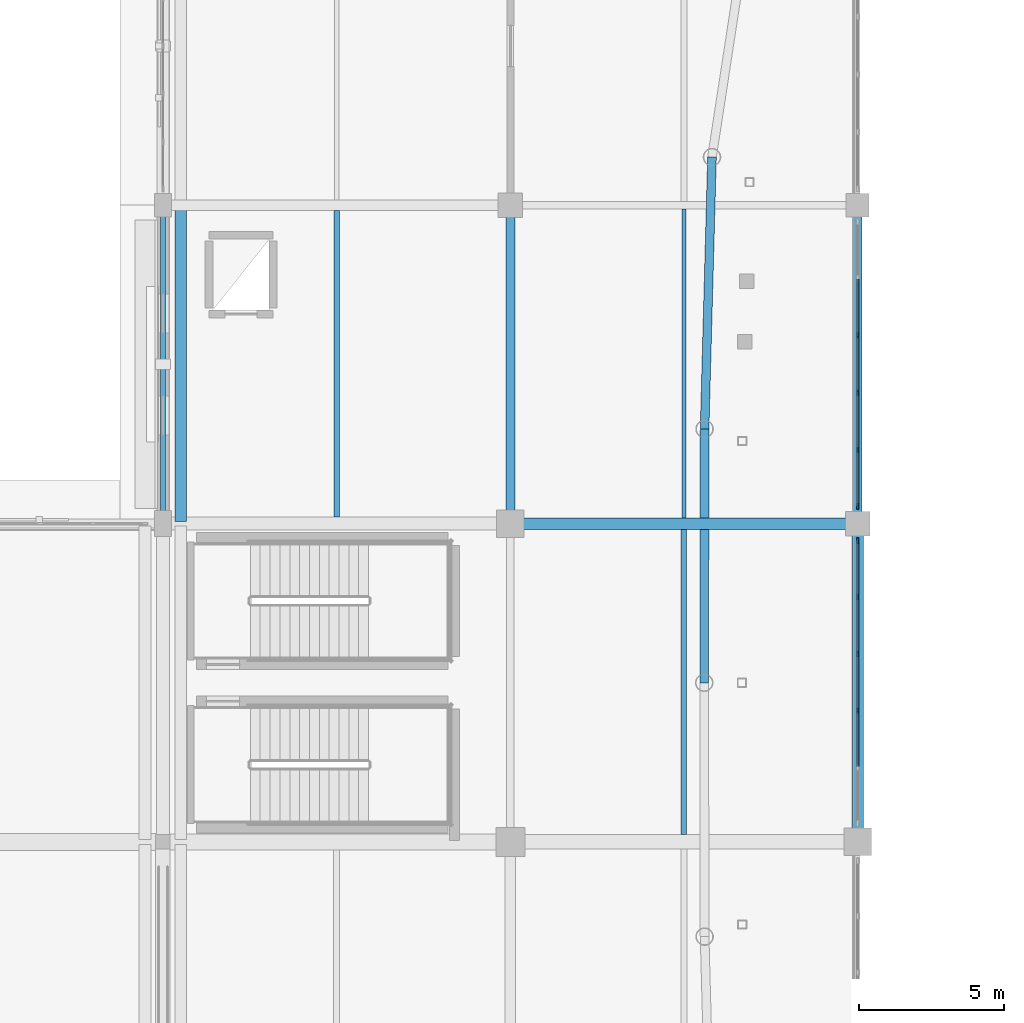
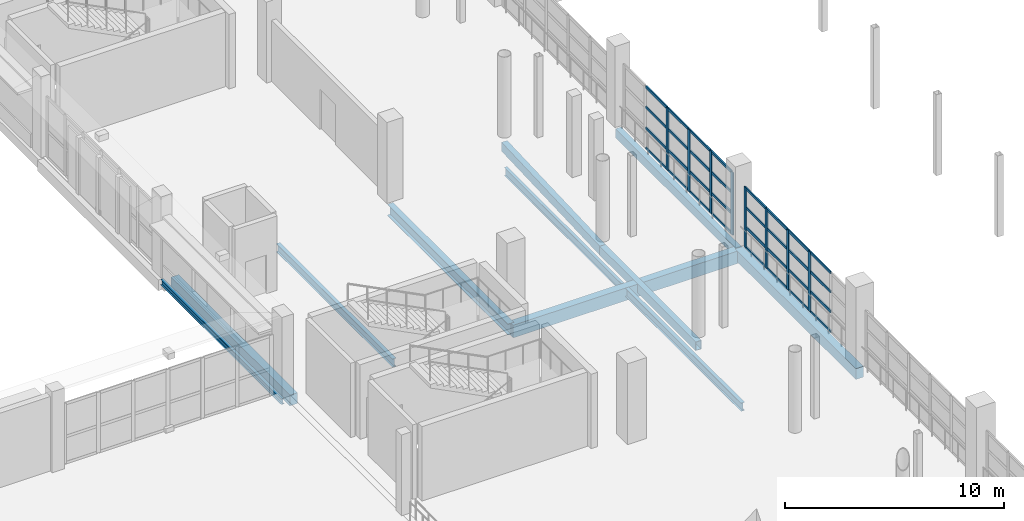
# One storey, part 32 of 118: 40 members, 11 beams, 2 elements without a shape of their own.
"""IFC4 building model written with IfcOpenShell, lengths in metres."""

from ifc_helpers import new_model, si_unit, direction, frame, origin, origin_2d, place, context, subcontext, project, spatial, rectangle, hollow_rectangle, i_section, extrude, material, material_profile, profile_set, type_object, element, aggregate, save


model = new_model("IFC4")

# Units and contexts
model_context = context("Model", 3, precision=1e-05, world=origin(), true_north=direction((0.0, 1.0)))
body_context = subcontext(model_context, "Body", "Model", "MODEL_VIEW")
ifc_project = project(units=[si_unit("LENGTHUNIT", "METRE"), si_unit("AREAUNIT", "SQUARE_METRE"), si_unit("VOLUMEUNIT", "CUBIC_METRE"), si_unit("PLANEANGLEUNIT", "RADIAN"), si_unit("MASSUNIT", "GRAM", prefix="KILO")], contexts=[model_context])

# Site, building, storey
site_placement = place(None, origin())
site = spatial("IfcSite", under=ifc_project, at=site_placement, CompositionType="ELEMENT")
building_placement = place(site_placement, origin())
building = spatial("IfcBuilding", under=site, at=building_placement, Name="Luwafu Chhajja Arena", CompositionType="ELEMENT")
storey_placement = place(building_placement, frame((0.0, 0.0, 10.199951171875)))
storey = spatial("IfcBuildingStorey", under=building, at=storey_placement, Name="L02", CompositionType="ELEMENT", Elevation=10.199951171875)

# Curtain wall, members
ifc_material_1 = material(Name="Anodised bronze aluminium", Category="aluminium")
curtain_wall_type = type_object("IfcCurtainWallType", Name="Hospitality Ring Curtain Wall", PredefinedType="USERDEFINED", material=ifc_material_1)
curtain_wall_1_placement = place(storey_placement, origin())
curtain_wall_1 = element("IfcCurtainWall", 1, at=curtain_wall_1_placement, inside=storey, type_object=curtain_wall_type, Name="L02 Bowl Viewing Curtain Wall CWR-L02-17", ObjectType="CURTAIN WALL", PredefinedType="USERDEFINED")
ifc_material_profile_1 = material_profile(ifc_material_1, rectangle(XDim=0.06494140625, YDim=0.199951171875, at=origin_2d()), Name="CWM 65x200")
ifc_profile_set_1 = profile_set([ifc_material_profile_1], Name="Anodised bronze aluminium")
member_type_1 = type_object("IfcMemberType", Name="Bronze Curtain Wall Mullion 65x200", PredefinedType="MULLION", material=ifc_profile_set_1)
member_1_placement = place(storey_placement, frame((58.0, 48.54296875, 0.0), z_axis=(0.0, 0.0, 1.0), x_axis=(-1.0, 0.0, 0.0)))
member_1 = element("IfcMember", 2, at=member_1_placement, type_object=member_type_1, Name="CW-02 mullion 3", PredefinedType="MULLION", context=body_context, shape_type="SweptSolid", body=[
    extrude(rectangle(XDim=0.06494140625, YDim=0.199951171875, at=origin_2d()), origin(), (0.0, 0.0, 1.0), 3.340087890625),
])
member_2_placement = place(storey_placement, frame((58.0, 50.507080078125, 0.0), z_axis=(0.0, 0.0, 1.0), x_axis=(-1.0, 0.0, 0.0)))
member_2 = element("IfcMember", 3, at=member_2_placement, type_object=member_type_1, Name="CW-02 mullion 4", PredefinedType="MULLION", context=body_context, shape_type="SweptSolid", body=[
    extrude(rectangle(XDim=0.06494140625, YDim=0.199951171875, at=origin_2d()), origin(), (0.0, 0.0, 1.0), 3.340087890625),
])
member_3_placement = place(storey_placement, frame((58.0, 52.470947265625, 0.0), z_axis=(0.0, 0.0, 1.0), x_axis=(-1.0, 0.0, 0.0)))
member_3 = element("IfcMember", 4, at=member_3_placement, type_object=member_type_1, Name="CW-02 mullion 5", PredefinedType="MULLION", context=body_context, shape_type="SweptSolid", body=[
    extrude(rectangle(XDim=0.06494140625, YDim=0.199951171875, at=origin_2d()), origin(), (0.0, 0.0, 1.0), 3.340087890625),
])
member_4_placement = place(storey_placement, frame((58.0, 54.402587890625, 0.0), z_axis=(0.0, 0.0, 1.0), x_axis=(-1.0, 0.0, 0.0)))
member_4 = element("IfcMember", 5, at=member_4_placement, type_object=member_type_1, Name="CW-02 mullion 6", PredefinedType="MULLION", context=body_context, shape_type="SweptSolid", body=[
    extrude(rectangle(XDim=0.06494140625, YDim=0.199951171875, at=origin_2d()), origin(), (0.0, 0.0, 1.0), 3.340087890625),
])

curtain_wall_2_placement = place(storey_placement, origin())
curtain_wall_2 = element("IfcCurtainWall", 6, at=curtain_wall_2_placement, inside=storey, type_object=curtain_wall_type, Name="L02 Bowl Viewing Curtain Wall CWR-L02-18", ObjectType="CURTAIN WALL", PredefinedType="USERDEFINED")
member_5_placement = place(storey_placement, frame((58.0, 55.597412109375, 0.0), z_axis=(0.0, 0.0, 1.0), x_axis=(-1.0, 0.0, 0.0)))
member_5 = element("IfcMember", 7, at=member_5_placement, type_object=member_type_1, Name="CW-02 mullion 1", PredefinedType="MULLION", context=body_context, shape_type="SweptSolid", body=[
    extrude(rectangle(XDim=0.06494140625, YDim=0.199951171875, at=origin_2d()), origin(), (0.0, 0.0, 1.0), 3.469970703125),
])
member_6_placement = place(storey_placement, frame((58.0, 57.5439453125, 0.0), z_axis=(0.0, 0.0, 1.0), x_axis=(-1.0, 0.0, 0.0)))
member_6 = element("IfcMember", 8, at=member_6_placement, type_object=member_type_1, Name="CW-02 mullion 2", PredefinedType="MULLION", context=body_context, shape_type="SweptSolid", body=[
    extrude(rectangle(XDim=0.06494140625, YDim=0.199951171875, at=origin_2d()), origin(), (0.0, 0.0, 1.0), 3.469970703125),
])
member_7_placement = place(storey_placement, frame((58.0, 59.52294921875, 0.0), z_axis=(0.0, 0.0, 1.0), x_axis=(-1.0, 0.0, 0.0)))
member_7 = element("IfcMember", 9, at=member_7_placement, type_object=member_type_1, Name="CW-02 mullion 3", PredefinedType="MULLION", context=body_context, shape_type="SweptSolid", body=[
    extrude(rectangle(XDim=0.06494140625, YDim=0.199951171875, at=origin_2d()), origin(), (0.0, 0.0, 1.0), 3.469970703125),
])
member_8_placement = place(storey_placement, frame((58.0, 61.501953125, 0.0), z_axis=(0.0, 0.0, 1.0), x_axis=(-1.0, 0.0, 0.0)))
member_8 = element("IfcMember", 10, at=member_8_placement, type_object=member_type_1, Name="CW-02 mullion 4", PredefinedType="MULLION", context=body_context, shape_type="SweptSolid", body=[
    extrude(rectangle(XDim=0.06494140625, YDim=0.199951171875, at=origin_2d()), origin(), (0.0, 0.0, 1.0), 3.469970703125),
])

# Member
ifc_material_profile_2 = material_profile(ifc_material_1, rectangle(XDim=0.06494140625, YDim=0.14990234375, at=origin_2d()), Name="CWT 65x150")
ifc_profile_set_2 = profile_set([ifc_material_profile_2], Name="Anodised bronze aluminium")
member_type_2 = type_object("IfcMemberType", Name="Bronze Curtain Wall Transom 65x150", PredefinedType="USERDEFINED", material=ifc_profile_set_2)
member_9_placement = place(storey_placement, frame((58.0, 46.611572265625, 0.032470703125), z_axis=(0.0, 1.0, 0.0), x_axis=(-1.0, 0.0, 0.0)))
member_9 = element("IfcMember", 11, at=member_9_placement, type_object=member_type_2, Name="CW-02 transom 2.1", ObjectType="TRANSOM", PredefinedType="USERDEFINED", context=body_context, shape_type="SweptSolid", body=[
    extrude(rectangle(XDim=0.06494140625, YDim=0.14990234375, at=origin_2d()), origin(), (0.0, 0.0, 1.0), 1.89892578125),
])

member_10_placement = place(storey_placement, frame((58.0, 46.611572265625, 1.150146484375), z_axis=(0.0, 1.0, 0.0), x_axis=(-1.0, 0.0, 0.0)))
member_10 = element("IfcMember", 12, at=member_10_placement, type_object=member_type_2, Name="CW-02 transom 2.2", ObjectType="TRANSOM", PredefinedType="USERDEFINED", context=body_context, shape_type="SweptSolid", body=[
    extrude(rectangle(XDim=0.06494140625, YDim=0.14990234375, at=origin_2d()), origin(), (0.0, 0.0, 1.0), 1.89892578125),
])

member_11_placement = place(storey_placement, frame((58.0, 46.611572265625, 2.2451171875), z_axis=(0.0, 1.0, 0.0), x_axis=(-1.0, 0.0, 0.0)))
member_11 = element("IfcMember", 13, at=member_11_placement, type_object=member_type_2, Name="CW-02 transom 2.3", ObjectType="TRANSOM", PredefinedType="USERDEFINED", context=body_context, shape_type="SweptSolid", body=[
    extrude(rectangle(XDim=0.06494140625, YDim=0.14990234375, at=origin_2d()), origin(), (0.0, 0.0, 1.0), 1.89892578125),
])

member_12_placement = place(storey_placement, frame((58.0, 46.611572265625, 3.3076171875), z_axis=(0.0, 1.0, 0.0), x_axis=(-1.0, 0.0, 0.0)))
member_12 = element("IfcMember", 14, at=member_12_placement, type_object=member_type_2, Name="CW-02 transom 2.4", ObjectType="TRANSOM", PredefinedType="USERDEFINED", context=body_context, shape_type="SweptSolid", body=[
    extrude(rectangle(XDim=0.06494140625, YDim=0.14990234375, at=origin_2d()), origin(), (0.0, 0.0, 1.0), 1.89892578125),
])

member_13_placement = place(storey_placement, frame((58.0, 48.575439453125, 0.032470703125), z_axis=(0.0, 1.0, 0.0), x_axis=(-1.0, 0.0, 0.0)))
member_13 = element("IfcMember", 15, at=member_13_placement, type_object=member_type_2, Name="CW-02 transom 3.1", ObjectType="TRANSOM", PredefinedType="USERDEFINED", context=body_context, shape_type="SweptSolid", body=[
    extrude(rectangle(XDim=0.06494140625, YDim=0.14990234375, at=origin_2d()), origin(), (0.0, 0.0, 1.0), 1.899169921875),
])

member_14_placement = place(storey_placement, frame((58.0, 48.575439453125, 1.150146484375), z_axis=(0.0, 1.0, 0.0), x_axis=(-1.0, 0.0, 0.0)))
member_14 = element("IfcMember", 16, at=member_14_placement, type_object=member_type_2, Name="CW-02 transom 3.2", ObjectType="TRANSOM", PredefinedType="USERDEFINED", context=body_context, shape_type="SweptSolid", body=[
    extrude(rectangle(XDim=0.06494140625, YDim=0.14990234375, at=origin_2d()), origin(), (0.0, 0.0, 1.0), 1.899169921875),
])

member_15_placement = place(storey_placement, frame((58.0, 48.575439453125, 2.2451171875), z_axis=(0.0, 1.0, 0.0), x_axis=(-1.0, 0.0, 0.0)))
member_15 = element("IfcMember", 17, at=member_15_placement, type_object=member_type_2, Name="CW-02 transom 3.3", ObjectType="TRANSOM", PredefinedType="USERDEFINED", context=body_context, shape_type="SweptSolid", body=[
    extrude(rectangle(XDim=0.06494140625, YDim=0.14990234375, at=origin_2d()), origin(), (0.0, 0.0, 1.0), 1.899169921875),
])

member_16_placement = place(storey_placement, frame((58.0, 48.575439453125, 3.3076171875), z_axis=(0.0, 1.0, 0.0), x_axis=(-1.0, 0.0, 0.0)))
member_16 = element("IfcMember", 18, at=member_16_placement, type_object=member_type_2, Name="CW-02 transom 3.4", ObjectType="TRANSOM", PredefinedType="USERDEFINED", context=body_context, shape_type="SweptSolid", body=[
    extrude(rectangle(XDim=0.06494140625, YDim=0.14990234375, at=origin_2d()), origin(), (0.0, 0.0, 1.0), 1.899169921875),
])

member_17_placement = place(storey_placement, frame((58.0, 50.53955078125, 0.032470703125), z_axis=(0.0, 1.0, 0.0), x_axis=(-1.0, 0.0, 0.0)))
member_17 = element("IfcMember", 19, at=member_17_placement, type_object=member_type_2, Name="CW-02 transom 4.1", ObjectType="TRANSOM", PredefinedType="USERDEFINED", context=body_context, shape_type="SweptSolid", body=[
    extrude(rectangle(XDim=0.06494140625, YDim=0.14990234375, at=origin_2d()), origin(), (0.0, 0.0, 1.0), 1.89892578125),
])

member_18_placement = place(storey_placement, frame((58.0, 50.53955078125, 1.150146484375), z_axis=(0.0, 1.0, 0.0), x_axis=(-1.0, 0.0, 0.0)))
member_18 = element("IfcMember", 20, at=member_18_placement, type_object=member_type_2, Name="CW-02 transom 4.2", ObjectType="TRANSOM", PredefinedType="USERDEFINED", context=body_context, shape_type="SweptSolid", body=[
    extrude(rectangle(XDim=0.06494140625, YDim=0.14990234375, at=origin_2d()), origin(), (0.0, 0.0, 1.0), 1.89892578125),
])

member_19_placement = place(storey_placement, frame((58.0, 50.53955078125, 2.2451171875), z_axis=(0.0, 1.0, 0.0), x_axis=(-1.0, 0.0, 0.0)))
member_19 = element("IfcMember", 21, at=member_19_placement, type_object=member_type_2, Name="CW-02 transom 4.3", ObjectType="TRANSOM", PredefinedType="USERDEFINED", context=body_context, shape_type="SweptSolid", body=[
    extrude(rectangle(XDim=0.06494140625, YDim=0.14990234375, at=origin_2d()), origin(), (0.0, 0.0, 1.0), 1.89892578125),
])

member_20_placement = place(storey_placement, frame((58.0, 50.53955078125, 3.3076171875), z_axis=(0.0, 1.0, 0.0), x_axis=(-1.0, 0.0, 0.0)))
member_20 = element("IfcMember", 22, at=member_20_placement, type_object=member_type_2, Name="CW-02 transom 4.4", ObjectType="TRANSOM", PredefinedType="USERDEFINED", context=body_context, shape_type="SweptSolid", body=[
    extrude(rectangle(XDim=0.06494140625, YDim=0.14990234375, at=origin_2d()), origin(), (0.0, 0.0, 1.0), 1.89892578125),
])

member_21_placement = place(storey_placement, frame((58.0, 52.50341796875, 0.032470703125), z_axis=(0.0, 1.0, 0.0), x_axis=(-1.0, 0.0, 0.0)))
member_21 = element("IfcMember", 23, at=member_21_placement, type_object=member_type_2, Name="CW-02 transom 5.1", ObjectType="TRANSOM", PredefinedType="USERDEFINED", context=body_context, shape_type="SweptSolid", body=[
    extrude(rectangle(XDim=0.06494140625, YDim=0.14990234375, at=origin_2d()), origin(), (0.0, 0.0, 1.0), 1.86669921875),
])

member_22_placement = place(storey_placement, frame((58.0, 52.50341796875, 1.150146484375), z_axis=(0.0, 1.0, 0.0), x_axis=(-1.0, 0.0, 0.0)))
member_22 = element("IfcMember", 24, at=member_22_placement, type_object=member_type_2, Name="CW-02 transom 5.2", ObjectType="TRANSOM", PredefinedType="USERDEFINED", context=body_context, shape_type="SweptSolid", body=[
    extrude(rectangle(XDim=0.06494140625, YDim=0.14990234375, at=origin_2d()), origin(), (0.0, 0.0, 1.0), 1.86669921875),
])

member_23_placement = place(storey_placement, frame((58.0, 52.50341796875, 2.2451171875), z_axis=(0.0, 1.0, 0.0), x_axis=(-1.0, 0.0, 0.0)))
member_23 = element("IfcMember", 25, at=member_23_placement, type_object=member_type_2, Name="CW-02 transom 5.3", ObjectType="TRANSOM", PredefinedType="USERDEFINED", context=body_context, shape_type="SweptSolid", body=[
    extrude(rectangle(XDim=0.06494140625, YDim=0.14990234375, at=origin_2d()), origin(), (0.0, 0.0, 1.0), 1.86669921875),
])

member_24_placement = place(storey_placement, frame((58.0, 52.50341796875, 3.3076171875), z_axis=(0.0, 1.0, 0.0), x_axis=(-1.0, 0.0, 0.0)))
member_24 = element("IfcMember", 26, at=member_24_placement, type_object=member_type_2, Name="CW-02 transom 5.4", ObjectType="TRANSOM", PredefinedType="USERDEFINED", context=body_context, shape_type="SweptSolid", body=[
    extrude(rectangle(XDim=0.06494140625, YDim=0.14990234375, at=origin_2d()), origin(), (0.0, 0.0, 1.0), 1.86669921875),
])

aggregate(curtain_wall_1, [member_1, member_2, member_3, member_4, member_9, member_10, member_11, member_12, member_13, member_14, member_15, member_16, member_17, member_18, member_19, member_20, member_21, member_22, member_23, member_24])

member_25_placement = place(storey_placement, frame((58.0, 55.6298828125, 0.032470703125), z_axis=(0.0, 1.0, 0.0), x_axis=(-1.0, 0.0, 0.0)))
member_25 = element("IfcMember", 27, at=member_25_placement, type_object=member_type_2, Name="CW-02 transom 1.1", ObjectType="TRANSOM", PredefinedType="USERDEFINED", context=body_context, shape_type="SweptSolid", body=[
    extrude(rectangle(XDim=0.06494140625, YDim=0.14990234375, at=origin_2d()), origin(), (0.0, 0.0, 1.0), 1.881591796875),
])

member_26_placement = place(storey_placement, frame((58.0, 55.6298828125, 1.150146484375), z_axis=(0.0, 1.0, 0.0), x_axis=(-1.0, 0.0, 0.0)))
member_26 = element("IfcMember", 28, at=member_26_placement, type_object=member_type_2, Name="CW-02 transom 1.2", ObjectType="TRANSOM", PredefinedType="USERDEFINED", context=body_context, shape_type="SweptSolid", body=[
    extrude(rectangle(XDim=0.06494140625, YDim=0.14990234375, at=origin_2d()), origin(), (0.0, 0.0, 1.0), 1.881591796875),
])

member_27_placement = place(storey_placement, frame((58.0, 55.6298828125, 2.31005859375), z_axis=(0.0, 1.0, 0.0), x_axis=(-1.0, 0.0, 0.0)))
member_27 = element("IfcMember", 29, at=member_27_placement, type_object=member_type_2, Name="CW-02 transom 1.3", ObjectType="TRANSOM", PredefinedType="USERDEFINED", context=body_context, shape_type="SweptSolid", body=[
    extrude(rectangle(XDim=0.06494140625, YDim=0.14990234375, at=origin_2d()), origin(), (0.0, 0.0, 1.0), 1.881591796875),
])

member_28_placement = place(storey_placement, frame((58.0, 55.6298828125, 3.437255859375), z_axis=(0.0, 1.0, 0.0), x_axis=(-1.0, 0.0, 0.0)))
member_28 = element("IfcMember", 30, at=member_28_placement, type_object=member_type_2, Name="CW-02 transom 1.4", ObjectType="TRANSOM", PredefinedType="USERDEFINED", context=body_context, shape_type="SweptSolid", body=[
    extrude(rectangle(XDim=0.06494140625, YDim=0.14990234375, at=origin_2d()), origin(), (0.0, 0.0, 1.0), 1.881591796875),
])

member_29_placement = place(storey_placement, frame((58.0, 57.576416015625, 0.032470703125), z_axis=(0.0, 1.0, 0.0), x_axis=(-1.0, 0.0, 0.0)))
member_29 = element("IfcMember", 31, at=member_29_placement, type_object=member_type_2, Name="CW-02 transom 2.1", ObjectType="TRANSOM", PredefinedType="USERDEFINED", context=body_context, shape_type="SweptSolid", body=[
    extrude(rectangle(XDim=0.06494140625, YDim=0.14990234375, at=origin_2d()), origin(), (0.0, 0.0, 1.0), 1.9140625),
])

member_30_placement = place(storey_placement, frame((58.0, 57.576416015625, 1.150146484375), z_axis=(0.0, 1.0, 0.0), x_axis=(-1.0, 0.0, 0.0)))
member_30 = element("IfcMember", 32, at=member_30_placement, type_object=member_type_2, Name="CW-02 transom 2.2", ObjectType="TRANSOM", PredefinedType="USERDEFINED", context=body_context, shape_type="SweptSolid", body=[
    extrude(rectangle(XDim=0.06494140625, YDim=0.14990234375, at=origin_2d()), origin(), (0.0, 0.0, 1.0), 1.9140625),
])

member_31_placement = place(storey_placement, frame((58.0, 57.576416015625, 2.31005859375), z_axis=(0.0, 1.0, 0.0), x_axis=(-1.0, 0.0, 0.0)))
member_31 = element("IfcMember", 33, at=member_31_placement, type_object=member_type_2, Name="CW-02 transom 2.3", ObjectType="TRANSOM", PredefinedType="USERDEFINED", context=body_context, shape_type="SweptSolid", body=[
    extrude(rectangle(XDim=0.06494140625, YDim=0.14990234375, at=origin_2d()), origin(), (0.0, 0.0, 1.0), 1.9140625),
])

member_32_placement = place(storey_placement, frame((58.0, 57.576416015625, 3.437255859375), z_axis=(0.0, 1.0, 0.0), x_axis=(-1.0, 0.0, 0.0)))
member_32 = element("IfcMember", 34, at=member_32_placement, type_object=member_type_2, Name="CW-02 transom 2.4", ObjectType="TRANSOM", PredefinedType="USERDEFINED", context=body_context, shape_type="SweptSolid", body=[
    extrude(rectangle(XDim=0.06494140625, YDim=0.14990234375, at=origin_2d()), origin(), (0.0, 0.0, 1.0), 1.9140625),
])

member_33_placement = place(storey_placement, frame((58.0, 59.555419921875, 0.032470703125), z_axis=(0.0, 1.0, 0.0), x_axis=(-1.0, 0.0, 0.0)))
member_33 = element("IfcMember", 35, at=member_33_placement, type_object=member_type_2, Name="CW-02 transom 3.1", ObjectType="TRANSOM", PredefinedType="USERDEFINED", context=body_context, shape_type="SweptSolid", body=[
    extrude(rectangle(XDim=0.06494140625, YDim=0.14990234375, at=origin_2d()), origin(), (0.0, 0.0, 1.0), 1.9140625),
])

member_34_placement = place(storey_placement, frame((58.0, 59.555419921875, 1.150146484375), z_axis=(0.0, 1.0, 0.0), x_axis=(-1.0, 0.0, 0.0)))
member_34 = element("IfcMember", 36, at=member_34_placement, type_object=member_type_2, Name="CW-02 transom 3.2", ObjectType="TRANSOM", PredefinedType="USERDEFINED", context=body_context, shape_type="SweptSolid", body=[
    extrude(rectangle(XDim=0.06494140625, YDim=0.14990234375, at=origin_2d()), origin(), (0.0, 0.0, 1.0), 1.9140625),
])

member_35_placement = place(storey_placement, frame((58.0, 59.555419921875, 2.31005859375), z_axis=(0.0, 1.0, 0.0), x_axis=(-1.0, 0.0, 0.0)))
member_35 = element("IfcMember", 37, at=member_35_placement, type_object=member_type_2, Name="CW-02 transom 3.3", ObjectType="TRANSOM", PredefinedType="USERDEFINED", context=body_context, shape_type="SweptSolid", body=[
    extrude(rectangle(XDim=0.06494140625, YDim=0.14990234375, at=origin_2d()), origin(), (0.0, 0.0, 1.0), 1.9140625),
])

member_36_placement = place(storey_placement, frame((58.0, 59.555419921875, 3.437255859375), z_axis=(0.0, 1.0, 0.0), x_axis=(-1.0, 0.0, 0.0)))
member_36 = element("IfcMember", 38, at=member_36_placement, type_object=member_type_2, Name="CW-02 transom 3.4", ObjectType="TRANSOM", PredefinedType="USERDEFINED", context=body_context, shape_type="SweptSolid", body=[
    extrude(rectangle(XDim=0.06494140625, YDim=0.14990234375, at=origin_2d()), origin(), (0.0, 0.0, 1.0), 1.9140625),
])

member_37_placement = place(storey_placement, frame((58.0, 61.534423828125, 0.032470703125), z_axis=(0.0, 1.0, 0.0), x_axis=(-1.0, 0.0, 0.0)))
member_37 = element("IfcMember", 39, at=member_37_placement, type_object=member_type_2, Name="CW-02 transom 4.1", ObjectType="TRANSOM", PredefinedType="USERDEFINED", context=body_context, shape_type="SweptSolid", body=[
    extrude(rectangle(XDim=0.06494140625, YDim=0.14990234375, at=origin_2d()), origin(), (0.0, 0.0, 1.0), 1.9140625),
])

member_38_placement = place(storey_placement, frame((58.0, 61.534423828125, 1.150146484375), z_axis=(0.0, 1.0, 0.0), x_axis=(-1.0, 0.0, 0.0)))
member_38 = element("IfcMember", 40, at=member_38_placement, type_object=member_type_2, Name="CW-02 transom 4.2", ObjectType="TRANSOM", PredefinedType="USERDEFINED", context=body_context, shape_type="SweptSolid", body=[
    extrude(rectangle(XDim=0.06494140625, YDim=0.14990234375, at=origin_2d()), origin(), (0.0, 0.0, 1.0), 1.9140625),
])

member_39_placement = place(storey_placement, frame((58.0, 61.534423828125, 2.31005859375), z_axis=(0.0, 1.0, 0.0), x_axis=(-1.0, 0.0, 0.0)))
member_39 = element("IfcMember", 41, at=member_39_placement, type_object=member_type_2, Name="CW-02 transom 4.3", ObjectType="TRANSOM", PredefinedType="USERDEFINED", context=body_context, shape_type="SweptSolid", body=[
    extrude(rectangle(XDim=0.06494140625, YDim=0.14990234375, at=origin_2d()), origin(), (0.0, 0.0, 1.0), 1.9140625),
])

member_40_placement = place(storey_placement, frame((58.0, 61.534423828125, 3.437255859375), z_axis=(0.0, 1.0, 0.0), x_axis=(-1.0, 0.0, 0.0)))
member_40 = element("IfcMember", 42, at=member_40_placement, type_object=member_type_2, Name="CW-02 transom 4.4", ObjectType="TRANSOM", PredefinedType="USERDEFINED", context=body_context, shape_type="SweptSolid", body=[
    extrude(rectangle(XDim=0.06494140625, YDim=0.14990234375, at=origin_2d()), origin(), (0.0, 0.0, 1.0), 1.9140625),
])

aggregate(curtain_wall_2, [member_5, member_6, member_7, member_8, member_25, member_26, member_27, member_28, member_29, member_30, member_31, member_32, member_33, member_34, member_35, member_36, member_37, member_38, member_39, member_40])

# Beams
ifc_material_2 = material(Name="Steel S355", Category="steel")
ifc_material_profile_3 = material_profile(ifc_material_2, i_section(OverallWidth=0.165771484375, OverallDepth=0.306640625, WebThickness=0.006591796875, FlangeThickness=0.01171875, at=origin_2d()), Name="UB 305x165x46")
ifc_profile_set_3 = profile_set([ifc_material_profile_3], Name="Steel S355")
beam_type_1 = type_object("IfcBeamType", Name="Concourse Edge Spandrel Beam UB 305x165x46", PredefinedType="SPANDREL", material=ifc_profile_set_3)
beam_1_placement = place(storey_placement, frame((34.0, 55.0, -0.543212890625), z_axis=(0.0, 1.0, 0.0), x_axis=(-1.0, 0.0, 0.0)))
element("IfcBeam", 43, at=beam_1_placement, inside=storey, type_object=beam_type_1, Name="L02 Grid Beam 4/F-G", PredefinedType="SPANDREL", context=body_context, shape_type="SweptSolid", body=[
    extrude(i_section(OverallWidth=0.165771484375, OverallDepth=0.306640625, WebThickness=0.006591796875, FlangeThickness=0.01171875, at=origin_2d()), origin(), (0.0, 0.0, 1.0), 11.0),
])
ifc_material_profile_4 = material_profile(ifc_material_2, i_section(OverallWidth=0.15283203125, OverallDepth=0.45458984375, WebThickness=0.008056640625, FlangeThickness=0.01318359375, at=origin_2d()), Name="UB 457x152x60")
ifc_profile_set_4 = profile_set([ifc_material_profile_4], Name="Steel S355")
beam_type_2 = type_object("IfcBeamType", Name="Floor Joist UB 457x152x60", PredefinedType="JOIST", material=ifc_profile_set_4)
beam_2_placement = place(storey_placement, frame((52.0, 55.199951171875, -0.6171875), z_axis=(0.0, 1.0, 0.0), x_axis=(-1.0, 0.0, 0.0)))
element("IfcBeam", 44, at=beam_2_placement, inside=storey, type_object=beam_type_2, Name="L02 Secondary Joist 5-6/F", PredefinedType="JOIST", context=body_context, shape_type="SweptSolid", body=[
    extrude(i_section(OverallWidth=0.15283203125, OverallDepth=0.45458984375, WebThickness=0.008056640625, FlangeThickness=0.01318359375, at=origin_2d()), origin(), (0.0, 0.0, 1.0), 10.673095703125),
])
ifc_material_profile_5 = material_profile(ifc_material_2, i_section(OverallWidth=0.19140625, OverallDepth=0.4599609375, WebThickness=0.010009765625, FlangeThickness=0.01611328125, at=origin_2d()), Name="UB 457x191x82")
ifc_profile_set_5 = profile_set([ifc_material_profile_5], Name="Steel S355")
beam_type_3 = type_object("IfcBeamType", Name="Floor Joist UB 457x191x82", PredefinedType="JOIST", material=ifc_profile_set_5)
beam_3_placement = place(storey_placement, frame((40.0, 55.22509765625, -0.619873046875), z_axis=(0.0, 1.0, 0.0), x_axis=(-1.0, 0.0, 0.0)))
element("IfcBeam", 45, at=beam_3_placement, inside=storey, type_object=beam_type_3, Name="L02 Secondary Joist 4-5/F", PredefinedType="JOIST", context=body_context, shape_type="SweptSolid", body=[
    extrude(i_section(OverallWidth=0.19140625, OverallDepth=0.4599609375, WebThickness=0.010009765625, FlangeThickness=0.01611328125, at=origin_2d()), origin(), (0.0, 0.0, 1.0), 10.599853515625),
])
beam_4_placement = place(storey_placement, frame((52.0, 44.25, -0.619873046875), z_axis=(0.0, 1.0, 0.0), x_axis=(-1.0, 0.0, 0.0)))
element("IfcBeam", 46, at=beam_4_placement, inside=storey, type_object=beam_type_3, Name="L02 Secondary Joist 5-6/E", PredefinedType="JOIST", context=body_context, shape_type="SweptSolid", body=[
    extrude(i_section(OverallWidth=0.19140625, OverallDepth=0.4599609375, WebThickness=0.010009765625, FlangeThickness=0.01611328125, at=origin_2d()), origin(), (0.0, 0.0, 1.0), 10.550048828125),
])
ifc_material_profile_6 = material_profile(ifc_material_2, hollow_rectangle(XDim=0.300048828125, YDim=0.5, WallThickness=0.02001953125, at=origin_2d()), Name="RHS 500x300x20")
ifc_profile_set_6 = profile_set([ifc_material_profile_6], Name="Steel S355")
beam_type_4 = type_object("IfcBeamType", Name="Pleated Drum Spandrel Beam RHS 500x300", PredefinedType="SPANDREL", material=ifc_profile_set_6)
beam_5_placement = place(storey_placement, frame((58.0, 55.0, -0.639892578125), z_axis=(0.0, 1.0, 0.0), x_axis=(-1.0, 0.0, 0.0)))
element("IfcBeam", 47, at=beam_5_placement, inside=storey, type_object=beam_type_4, Name="L02 Grid Beam 6/F-G", PredefinedType="SPANDREL", context=body_context, shape_type="SweptSolid", body=[
    extrude(hollow_rectangle(XDim=0.300048828125, YDim=0.5, WallThickness=0.02001953125, at=origin_2d()), origin(), (0.0, 0.0, 1.0), 11.0),
])
beam_6_placement = place(storey_placement, frame((52.968017578125, 67.6611328125, -0.639892578125), z_axis=(-0.02720805866, -0.999629792245, 0.0), x_axis=(0.999629792245, -0.02720805866, 0.0)))
element("IfcBeam", 48, at=beam_6_placement, inside=storey, type_object=beam_type_4, Name="L02 Drum Ring Spandrel D15-D16", PredefinedType="SPANDREL", context=body_context, shape_type="SweptSolid", body=[
    extrude(hollow_rectangle(XDim=0.300048828125, YDim=0.5, WallThickness=0.02001953125, at=origin_2d()), origin(), (0.0, 0.0, 1.0), 9.394775390625),
])
beam_7_placement = place(storey_placement, frame((52.71240234375, 58.269775390625, -0.639892578125), z_axis=(-0.001419780869, -0.999998992111, 0.0), x_axis=(0.999998992111, -0.001419780869, 0.0)))
element("IfcBeam", 49, at=beam_7_placement, inside=storey, type_object=beam_type_4, Name="L02 Drum Ring Spandrel D16-D17", PredefinedType="SPANDREL", context=body_context, shape_type="SweptSolid", body=[
    extrude(hollow_rectangle(XDim=0.300048828125, YDim=0.5, WallThickness=0.02001953125, at=origin_2d()), origin(), (0.0, 0.0, 1.0), 8.769775390625),
])
ifc_material_3 = material(Name="Concrete C35/45", Category="concrete")
ifc_material_profile_7 = material_profile(ifc_material_3, rectangle(XDim=0.39990234375, YDim=0.60009765625, at=origin_2d()), Name="RC 400x600")
ifc_profile_set_7 = profile_set([ifc_material_profile_7], Name="Concrete C35/45")
beam_type_5 = type_object("IfcBeamType", Name="Podium Perimeter Spandrel RC 400x600", PredefinedType="SPANDREL", material=ifc_profile_set_7)
beam_8_placement = place(storey_placement, frame((58.0, 44.0, -0.68994140625), z_axis=(0.0, 1.0, 0.0), x_axis=(-1.0, 0.0, 0.0)))
element("IfcBeam", 50, at=beam_8_placement, inside=storey, type_object=beam_type_5, Name="L02 Grid Beam 6/E-F", PredefinedType="SPANDREL", context=body_context, shape_type="SweptSolid", body=[
    extrude(rectangle(XDim=0.39990234375, YDim=0.60009765625, at=origin_2d()), origin(), (0.0, 0.0, 1.0), 11.0),
])
beam_9_placement = place(storey_placement, frame((34.6201171875, 55.080078125, -0.68994140625), z_axis=(0.0, 1.0, 0.0), x_axis=(-1.0, 0.0, 0.0)))
element("IfcBeam", 51, at=beam_9_placement, inside=storey, type_object=beam_type_5, Name="L02 Movement Joint MJ1E Seat Girder 05", PredefinedType="SPANDREL", context=body_context, shape_type="SweptSolid", body=[
    extrude(rectangle(XDim=0.39990234375, YDim=0.60009765625, at=origin_2d()), origin(), (0.0, 0.0, 1.0), 10.83984375),
])
ifc_material_profile_8 = material_profile(ifc_material_2, i_section(OverallWidth=0.30712890625, OverallDepth=0.6201171875, WebThickness=0.01416015625, FlangeThickness=0.023681640625, at=origin_2d()), Name="UB 610x305x179")
ifc_profile_set_8 = profile_set([ifc_material_profile_8], Name="Steel S355")
beam_type_6 = type_object("IfcBeamType", Name="Steel Hospitality Girder UB 610x305x179", PredefinedType="BEAM", material=ifc_profile_set_8)
beam_10_placement = place(storey_placement, frame((46.0, 55.0, -0.699951171875), z_axis=(0.0, 1.0, 0.0), x_axis=(-1.0, 0.0, 0.0)))
element("IfcBeam", 52, at=beam_10_placement, inside=storey, type_object=beam_type_6, Name="L02 Grid Beam 5/F-G", PredefinedType="BEAM", context=body_context, shape_type="SweptSolid", body=[
    extrude(i_section(OverallWidth=0.30712890625, OverallDepth=0.6201171875, WebThickness=0.01416015625, FlangeThickness=0.023681640625, at=origin_2d()), origin(), (0.0, 0.0, 1.0), 11.0),
])
ifc_material_profile_9 = material_profile(ifc_material_3, rectangle(XDim=0.39990234375, YDim=0.699951171875, at=origin_2d()), Name="RC 400x700")
ifc_profile_set_9 = profile_set([ifc_material_profile_9], Name="Concrete C35/45")
beam_type_7 = type_object("IfcBeamType", Name="Wing Frame Beam RC 400x700", PredefinedType="BEAM", material=ifc_profile_set_9)
beam_11_placement = place(storey_placement, frame((46.0, 55.0, -0.739990234375), z_axis=(1.0, 0.0, 0.0), x_axis=(0.0, 1.0, 0.0)))
element("IfcBeam", 53, at=beam_11_placement, inside=storey, type_object=beam_type_7, Name="L02 Grid Beam 5-6/F", PredefinedType="BEAM", context=body_context, shape_type="SweptSolid", body=[
    extrude(rectangle(XDim=0.39990234375, YDim=0.699951171875, at=origin_2d()), origin(), (0.0, 0.0, 1.0), 12.0),
])

save(model, "model.ifc")
